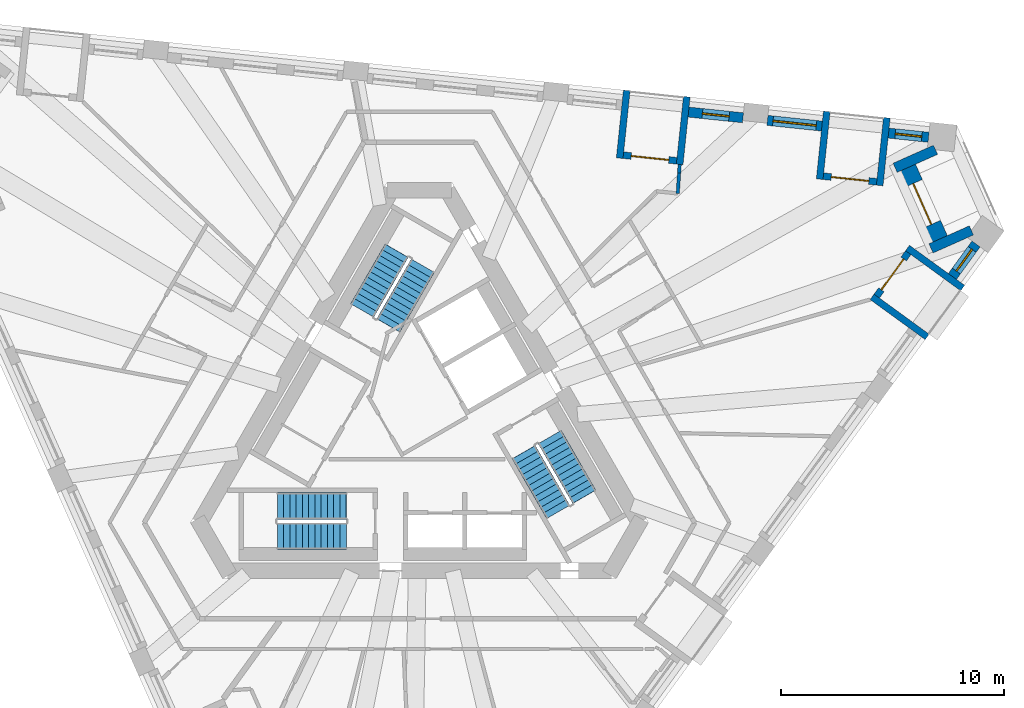
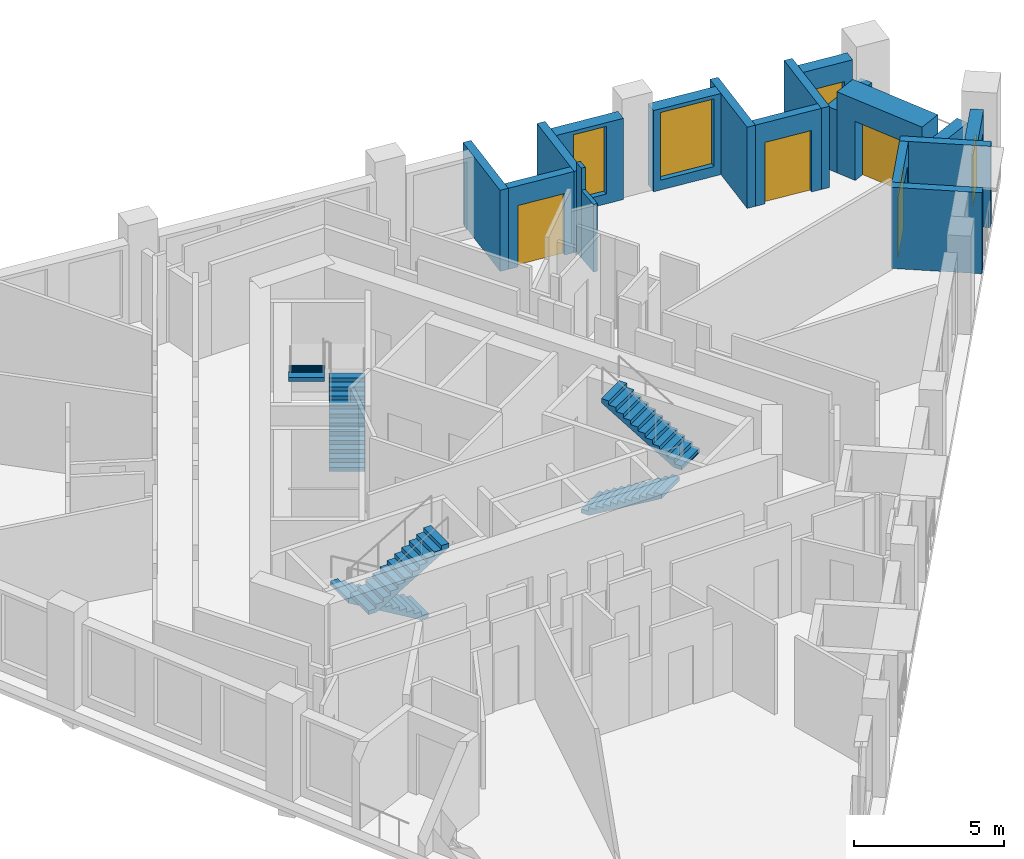
# One storey, part 8 of 11: 18 walls, 6 stair flights, 4 doors, 4 windows, 8 openings, 3 elements without a shape of their own.
"""IFC4 building model written with IfcOpenShell, lengths in metres."""

import ifcopenshell
import ifcopenshell.guid

model = None  # the IFC model being written
_history = None  # IfcOwnerHistory: only IFC2X3 demands one
_inside = {}  # id of a spatial element -> (the spatial element, [elements in it])
_under = {}  # id of a project, library or spatial element -> (it, [spatial elements below it])
_declared = {}  # id of a project -> (the project, [libraries it declares])
_typed = {}  # id of a type object -> (the type object, [elements of that type])
_made_of = {}  # id of a material, layer set ... -> (it, [elements and type objects made of it])


def new_model(schema):
    """Start an empty IFC model of exactly this schema.

    Asked for "IFC4X3", IfcOpenShell would pick the latest addendum, in which some entities
    have other attributes; the version numbers below select the first issue.
    IFC2X3 requires an IfcOwnerHistory on every rooted entity: one is made here for all.
    """
    global model, _history
    if schema == "IFC4X3":
        model = ifcopenshell.file(schema_version=(4, 3, 0, 0))
    else:
        model = ifcopenshell.file(schema=schema)
    _inside.clear()
    _under.clear()
    _declared.clear()
    _typed.clear()
    _made_of.clear()
    _history = None
    if model.schema == "IFC2X3":
        org = make("IfcOrganization", Name="unknown")
        user = make(
            "IfcPersonAndOrganization",
            ThePerson=make("IfcPerson", FamilyName="unknown"),
            TheOrganization=org,
        )
        app = make(
            "IfcApplication",
            ApplicationDeveloper=org,
            Version="unknown",
            ApplicationFullName="unknown",
            ApplicationIdentifier="unknown",
        )
        _history = make(
            "IfcOwnerHistory",
            OwningUser=user,
            OwningApplication=app,
            ChangeAction="ADDED",
            CreationDate=0,
        )
    return model


def make(cls, **values):
    """One entity of the class cls with the attributes given. An attribute that is None is left unset."""
    return model.create_entity(
        cls, **{name: value for name, value in values.items() if value is not None}
    )


def rooted(cls, **values):
    """An entity with a GlobalId (a new one), such as an element, a storey or a relation."""
    return make(cls, GlobalId=ifcopenshell.guid.new(), OwnerHistory=_history, **values)


def si_unit(unit_type, name, prefix=None):
    """IfcSIUnit, for example si_unit("LENGTHUNIT", "METRE", prefix="MILLI")."""
    return make("IfcSIUnit", UnitType=unit_type, Prefix=prefix, Name=name)


def assignment(units):
    """IfcUnitAssignment: the units of a project."""
    return None if units is None else make("IfcUnitAssignment", Units=units)


def point(xyz):
    """IfcCartesianPoint."""
    return None if xyz is None else make("IfcCartesianPoint", Coordinates=xyz)


def direction(xyz):
    """IfcDirection."""
    return None if xyz is None else make("IfcDirection", DirectionRatios=xyz)


def frame(location, z_axis=None, x_axis=None):
    """IfcAxis2Placement3D, a coordinate frame: its origin and axes. An axis left out is left unset."""
    return make(
        "IfcAxis2Placement3D",
        Location=point(location),
        Axis=direction(z_axis),
        RefDirection=direction(x_axis),
    )


def frame_2d(location, x_axis=None):
    """IfcAxis2Placement2D, a coordinate frame in the plane: its origin and x axis."""
    return make(
        "IfcAxis2Placement2D", Location=point(location), RefDirection=direction(x_axis)
    )


def origin():
    """The frame at (0, 0, 0) with its axes left unset."""
    return frame((0.0, 0.0, 0.0))


def place(relative_to, where):
    """IfcLocalPlacement: puts the frame where relative to a parent placement (None: the world)."""
    return make(
        "IfcLocalPlacement", PlacementRelTo=relative_to, RelativePlacement=where
    )


def context(
    kind, dimensions, precision=None, world=None, true_north=None, identifier=None
):
    """IfcGeometricRepresentationContext, for example the 3D "Model" context."""
    return make(
        "IfcGeometricRepresentationContext",
        ContextIdentifier=identifier,
        ContextType=kind,
        CoordinateSpaceDimension=dimensions,
        Precision=precision,
        WorldCoordinateSystem=world,
        TrueNorth=true_north,
    )


def subcontext(parent, identifier, kind, view, scale=None):
    """IfcGeometricRepresentationSubContext, for example "Body" below "Model"."""
    return make(
        "IfcGeometricRepresentationSubContext",
        ContextIdentifier=identifier,
        ContextType=kind,
        ParentContext=parent,
        TargetScale=scale,
        TargetView=view,
    )


def project(units=None, contexts=None):
    """IfcProject with its units and contexts."""
    return rooted(
        "IfcProject",
        Name="project",
        RepresentationContexts=contexts,
        UnitsInContext=assignment(units),
    )


def spatial(cls, under=None, at=None, **own):
    """A site, building, storey or space (cls), placed at a placement, below another one or the project."""
    s = rooted(cls, ObjectPlacement=at, **own)
    if under is not None:
        _under.setdefault(under.id(), (under, []))[1].append(s)
    return s


def polyline(points):
    """IfcPolyline through the points."""
    return make("IfcPolyline", Points=[point(p) for p in points])


def profile(cls, at=None, kind="AREA", **sizes):
    """A parametric profile (cls). Its sizes go by their IFC names, for example OverallWidth=200.0."""
    return make(cls, ProfileType=kind, Position=at, **sizes)


def rectangle(**sizes):
    """IfcRectangleProfileDef."""
    return profile("IfcRectangleProfileDef", **sizes)


def outline(outer, holes=None, kind="AREA"):
    """IfcArbitraryClosedProfileDef: a profile drawn as a closed curve; with holes, ...WithVoids."""
    if holes is None:
        return make("IfcArbitraryClosedProfileDef", ProfileType=kind, OuterCurve=outer)
    return make(
        "IfcArbitraryProfileDefWithVoids",
        ProfileType=kind,
        OuterCurve=outer,
        InnerCurves=holes,
    )


def extrude(swept, where, along, depth):
    """IfcExtrudedAreaSolid: the profile swept, set in the frame where, extruded along a direction by depth."""
    return make(
        "IfcExtrudedAreaSolid",
        SweptArea=swept,
        Position=where,
        ExtrudedDirection=direction(along),
        Depth=depth,
    )


def shape(context_of_items, identifier, shape_type, items):
    """IfcShapeRepresentation: the items that make up one representation, for example the "Body"."""
    return make(
        "IfcShapeRepresentation",
        ContextOfItems=context_of_items,
        RepresentationIdentifier=identifier,
        RepresentationType=shape_type,
        Items=items,
    )


def material(Name=None, Category=None):
    """IfcMaterial."""
    return make("IfcMaterial", Name=Name, Category=Category)


def layer(
    of_material, thickness, ventilated=None, Name=None, Category=None, Priority=None
):
    """IfcMaterialLayer: one layer of a wall or slab, of a material (None: an air gap)."""
    return make(
        "IfcMaterialLayer",
        Material=of_material,
        LayerThickness=thickness,
        IsVentilated=ventilated,
        Name=Name,
        Category=Category,
        Priority=Priority,
    )


def layer_set(layers, Name=None):
    """IfcMaterialLayerSet."""
    return make("IfcMaterialLayerSet", MaterialLayers=layers, LayerSetName=Name)


def made_of(thing, what):
    """Note that an element or type object is made of a material, layer set ...; save() writes the relation."""
    if what is not None:
        _made_of.setdefault(what.id(), (what, []))[1].append(thing)
    return thing


def type_object(cls, material=None, **own):
    """A type object (cls), such as IfcWallType, which elements share."""
    return made_of(rooted(cls, **own), material)


def element(
    cls,
    number,
    at=None,
    inside=None,
    cuts=None,
    type_object=None,
    material=None,
    context=None,
    identifier="Body",
    shape_type=None,
    held_by="IfcProductDefinitionShape",
    body=None,
    shapes=None,
    **own,
):
    """One element of the class cls, such as IfcWall. Its Tag is "e" and its number.

    at: its placement. inside: the storey or other place that contains it. cuts: it is an
    opening in that element (IfcRelVoidsElement). A single representation is given by context,
    identifier, shape_type and body (its items); several are given by shapes. held_by: the class
    of the entity that holds the representations. save() writes the other relations.
    """
    e = rooted(cls, Tag="e%d" % number, ObjectPlacement=at, **own)
    if body is not None:
        shapes = [shape(context, identifier, shape_type, body)]
    if shapes is not None:
        e.Representation = make(held_by, Representations=shapes)
    if inside is not None:
        _inside.setdefault(inside.id(), (inside, []))[1].append(e)
    if cuts is not None:
        rooted(
            "IfcRelVoidsElement", RelatingBuildingElement=cuts, RelatedOpeningElement=e
        )
    if type_object is not None:
        _typed.setdefault(type_object.id(), (type_object, []))[1].append(e)
    return made_of(e, material)


def fill(opening, filler):
    """IfcRelFillsElement: the door or window that sits in an opening."""
    return rooted(
        "IfcRelFillsElement",
        RelatingOpeningElement=opening,
        RelatedBuildingElement=filler,
    )


def aggregate(whole, parts):
    """IfcRelAggregates: a whole, such as a stair, and the parts it consists of."""
    return rooted("IfcRelAggregates", RelatingObject=whole, RelatedObjects=parts)


def save(model, path):
    """Write the relations noted so far, then the file.

    IfcRelAggregates (storeys below a building ...), IfcRelContainedInSpatialStructure (elements
    in a storey), IfcRelDefinesByType, IfcRelAssociatesMaterial and IfcRelDeclares: one each for
    every whole, place, type object, material and project.
    """
    for whole, parts in _under.values():
        aggregate(whole, parts)
    for where, things in _inside.values():
        rooted(
            "IfcRelContainedInSpatialStructure",
            RelatedElements=things,
            RelatingStructure=where,
        )
    for kind, things in _typed.values():
        rooted("IfcRelDefinesByType", RelatedObjects=things, RelatingType=kind)
    for what, things in _made_of.values():
        rooted("IfcRelAssociatesMaterial", RelatedObjects=things, RelatingMaterial=what)
    for by, libraries in _declared.values():
        rooted("IfcRelDeclares", RelatingContext=by, RelatedDefinitions=libraries)
    model.write(path)


model = new_model("IFC4")

# Units and contexts
model_context = context("Model", 3, precision=1e-05, world=origin(), true_north=direction((0.0, 1.0)))
body_context = subcontext(model_context, "Body", "Model", "MODEL_VIEW")
ifc_project = project(units=[si_unit("LENGTHUNIT", "METRE"), si_unit("AREAUNIT", "SQUARE_METRE"), si_unit("VOLUMEUNIT", "CUBIC_METRE"), si_unit("PLANEANGLEUNIT", "RADIAN"), si_unit("MASSUNIT", "GRAM", prefix="KILO")], contexts=[model_context])

# Site, building, storey
site_placement = place(None, origin())
site = spatial("IfcSite", under=ifc_project, at=site_placement, CompositionType="ELEMENT")
building_placement = place(site_placement, origin())
building = spatial("IfcBuilding", under=site, at=building_placement, Name="Tramontana Tower", CompositionType="ELEMENT")
storey_placement = place(building_placement, frame((0.0, 0.0, 253.199951171875)))
storey = spatial("IfcBuildingStorey", under=building, at=storey_placement, Name="L59", CompositionType="ELEMENT", Elevation=253.199951171875)

# Wall, opening, window
ifc_material_1 = material(Name="Precast concrete 60 MPa", Category="concrete")
ifc_layer_1 = layer(ifc_material_1, 0.449951171875)
ifc_layer_set_1 = layer_set([ifc_layer_1], Name="Precast concrete 60 MPa, 450 mm")
wall_type_1 = type_object("IfcWallType", Name="EW1 Stone-faced precast wall 450", PredefinedType="SOLIDWALL", material=ifc_layer_set_1)
wall_1_placement = place(storey_placement, frame((23.868408203125, 6.77978515625, 0.0), z_axis=(0.0, 0.0, 1.0), x_axis=(0.587793056764, 0.809011324037, 0.0)))
wall_1 = element("IfcWall", 1, at=wall_1_placement, inside=storey, type_object=wall_type_1, Name="External wall L59 face 1 bay 5", PredefinedType="SOLIDWALL", context=body_context, shape_type="SweptSolid", body=[
    extrude(rectangle(XDim=1.80224609375, YDim=0.449951171875, at=frame_2d((0.901123046875, 0.0))), origin(), (0.0, 0.0, 1.0), 3.300048828125),
])
opening_1_placement = place(wall_1_placement, frame((0.301025390625, 0.0, 0.39990234375)))
opening_1 = element("IfcOpeningElement", 2, at=opening_1_placement, cuts=wall_1, Name="Opening N3L", PredefinedType="OPENING", context=body_context, shape_type="SweptSolid", body=[
    extrude(rectangle(XDim=1.199951171875, YDim=2.10009765625, at=frame_2d((0.60009765625, 1.050048828125))), frame((0.0, 0.23486328125, 0.0), z_axis=(0.0, -1.0, 0.0), x_axis=(1.0, 0.0, 0.0)), (0.0, 0.0, 1.0), 0.469970703125),
])
ifc_material_2 = material(Name="Aluminum frame, double glazing unit", Category="aluminium")
window_type_1 = type_object("IfcWindowType", Name="N3L Window 1.2 x 2.1", PartitioningType="SINGLE_PANEL", PredefinedType="WINDOW", material=ifc_material_2)
window_1_placement = place(opening_1_placement, origin())
window_1 = element("IfcWindow", 3, at=window_1_placement, inside=storey, type_object=window_type_1, Name="Window N3L L59 face 1 module 15", OverallHeight=2.10009765625, OverallWidth=1.199951171875, PartitioningType="SINGLE_PANEL", PredefinedType="WINDOW", context=body_context, shape_type="SweptSolid", body=[
    extrude(rectangle(XDim=1.199951171875, YDim=2.10009765625, at=frame_2d((0.60009765625, 1.050048828125))), frame((0.0, 0.030029296875, 0.0), z_axis=(0.0, -1.0, 0.0), x_axis=(1.0, 0.0, 0.0)), (0.0, 0.0, 1.0), 0.06005859375),
])
fill(opening_1, window_1)

wall_2_placement = place(storey_placement, frame((22.8017578125, 13.012939453125, 0.0), z_axis=(0.0, 0.0, 1.0), x_axis=(-0.994529922737, 0.104452059724, 0.0)))
wall_2 = element("IfcWall", 4, at=wall_2_placement, inside=storey, type_object=wall_type_1, Name="External wall L59 face 2 bay 1", PredefinedType="SOLIDWALL", context=body_context, shape_type="SweptSolid", body=[
    extrude(rectangle(XDim=1.802001953125, YDim=0.449951171875, at=frame_2d((0.90087890625, 0.0))), origin(), (0.0, 0.0, 1.0), 3.300048828125),
])
opening_2_placement = place(wall_2_placement, frame((0.301025390625, 0.0, 0.39990234375)))
opening_2 = element("IfcOpeningElement", 5, at=opening_2_placement, cuts=wall_2, Name="Opening N3L", PredefinedType="OPENING", context=body_context, shape_type="SweptSolid", body=[
    extrude(rectangle(XDim=1.199951171875, YDim=2.10009765625, at=frame_2d((0.60009765625, 1.050048828125))), frame((0.0, 0.23486328125, 0.0), z_axis=(0.0, -1.0, 0.0), x_axis=(1.0, 0.0, 0.0)), (0.0, 0.0, 1.0), 0.469970703125),
])
window_2_placement = place(opening_2_placement, origin())
window_2 = element("IfcWindow", 6, at=window_2_placement, inside=storey, type_object=window_type_1, Name="Window N3L L59 face 2 module 1", OverallHeight=2.10009765625, OverallWidth=1.199951171875, PartitioningType="SINGLE_PANEL", PredefinedType="WINDOW", context=body_context, shape_type="SweptSolid", body=[
    extrude(rectangle(XDim=1.199951171875, YDim=2.10009765625, at=frame_2d((0.60009765625, 1.050048828125))), frame((0.0, 0.030029296875, 0.0), z_axis=(0.0, -1.0, 0.0), x_axis=(1.0, 0.0, 0.0)), (0.0, 0.0, 1.0), 0.06005859375),
])
fill(opening_2, window_2)

wall_3_placement = place(storey_placement, frame((18.023681640625, 13.51513671875, 0.0), z_axis=(0.0, 0.0, 1.0), x_axis=(-0.994520717537, 0.104539668977, 0.0)))
wall_3 = element("IfcWall", 7, at=wall_3_placement, inside=storey, type_object=wall_type_1, Name="External wall L59 face 2 bay 1", PredefinedType="SOLIDWALL", context=body_context, shape_type="SweptSolid", body=[
    extrude(rectangle(XDim=2.4521484375, YDim=0.449951171875, at=frame_2d((1.22607421875, 0.0))), origin(), (0.0, 0.0, 1.0), 3.300048828125),
])
opening_3_placement = place(wall_3_placement, frame((0.251220703125, 0.0, 0.39990234375)))
opening_3 = element("IfcOpeningElement", 8, at=opening_3_placement, cuts=wall_3, Name="Opening M3", PredefinedType="OPENING", context=body_context, shape_type="SweptSolid", body=[
    extrude(rectangle(XDim=1.949951171875, YDim=2.75, at=frame_2d((0.97509765625, 1.375))), frame((0.0, 0.23486328125, 0.0), z_axis=(0.0, -1.0, 0.0), x_axis=(1.0, 0.0, 0.0)), (0.0, 0.0, 1.0), 0.469970703125),
])
ifc_material_3 = material(Name="Aluminum frame, double glazing unit", Category="aluminium")
window_type_2 = type_object("IfcWindowType", Name="M3 Window 1.95 x 2.75", PartitioningType="SINGLE_PANEL", PredefinedType="WINDOW", material=ifc_material_3)
window_3_placement = place(opening_3_placement, origin())
window_3 = element("IfcWindow", 9, at=window_3_placement, inside=storey, type_object=window_type_2, Name="Window M3 L59 face 2 module 3", OverallHeight=2.75, OverallWidth=1.949951171875, PartitioningType="SINGLE_PANEL", PredefinedType="WINDOW", context=body_context, shape_type="SweptSolid", body=[
    extrude(rectangle(XDim=1.949951171875, YDim=2.75, at=frame_2d((0.97509765625, 1.375))), frame((0.0, 0.030029296875, 0.0), z_axis=(0.0, -1.0, 0.0), x_axis=(1.0, 0.0, 0.0)), (0.0, 0.0, 1.0), 0.06005859375),
])
fill(opening_3, window_3)

wall_4_placement = place(storey_placement, frame((14.490966796875, 13.886474609375, 0.0), z_axis=(0.0, 0.0, 1.0), x_axis=(-0.99453214974, 0.104430853361, 0.0)))
wall_4 = element("IfcWall", 10, at=wall_4_placement, inside=storey, type_object=wall_type_1, Name="External wall L59 face 2 bay 2", PredefinedType="SOLIDWALL", context=body_context, shape_type="SweptSolid", body=[
    extrude(rectangle(XDim=2.452392578125, YDim=0.449951171875, at=frame_2d((1.22607421875, 0.0))), origin(), (0.0, 0.0, 1.0), 3.300048828125),
])
opening_4_placement = place(wall_4_placement, frame((0.626220703125, 0.0, 0.39990234375)))
opening_4 = element("IfcOpeningElement", 11, at=opening_4_placement, cuts=wall_4, Name="Opening N3", PredefinedType="OPENING", context=body_context, shape_type="SweptSolid", body=[
    extrude(rectangle(XDim=1.199951171875, YDim=2.75, at=frame_2d((0.60009765625, 1.375))), frame((0.0, 0.23486328125, 0.0), z_axis=(0.0, -1.0, 0.0), x_axis=(1.0, 0.0, 0.0)), (0.0, 0.0, 1.0), 0.469970703125),
])
ifc_material_4 = material(Name="Aluminum frame, double glazing unit", Category="aluminium")
window_type_3 = type_object("IfcWindowType", Name="N3 Window 1.2 x 2.75", PartitioningType="SINGLE_PANEL", PredefinedType="WINDOW", material=ifc_material_4)
window_4_placement = place(opening_4_placement, origin())
window_4 = element("IfcWindow", 12, at=window_4_placement, inside=storey, type_object=window_type_3, Name="Window N3 L59 face 2 module 4", OverallHeight=2.75, OverallWidth=1.199951171875, PartitioningType="SINGLE_PANEL", PredefinedType="WINDOW", context=body_context, shape_type="SweptSolid", body=[
    extrude(rectangle(XDim=1.199951171875, YDim=2.75, at=frame_2d((0.60009765625, 1.375))), frame((0.0, 0.030029296875, 0.0), z_axis=(0.0, -1.0, 0.0), x_axis=(1.0, 0.0, 0.0)), (0.0, 0.0, 1.0), 0.06005859375),
])
fill(opening_4, window_4)

# Walls
for number, where, z_axis, x_axis, name in (
    (13, (23.112548828125, 12.452392578125, 0.0), (0.0, 0.0, 1.0), (-0.913516289312, -0.406802149899, 0.0), "Corner loggia side wall L59 K62l"),
    (14, (24.71923828125, 8.84375, 0.0), (0.0, 0.0, 1.0), (-0.913562124494, -0.406699206651, 0.0), "Corner loggia side wall L59 K62r"),
):
    element("IfcWall", number, at=place(storey_placement, frame(where, z_axis=z_axis, x_axis=x_axis)), inside=storey, type_object=wall_type_1, Name=name, PredefinedType="SOLIDWALL", context=body_context, shape_type="SweptSolid", body=[
        extrude(rectangle(XDim=1.979248046875, YDim=0.449951171875, at=frame_2d((0.98974609375, 0.0))), origin(), (0.0, 0.0, 1.0), 2.550048828125),
    ])

# Wall, opening, door
ifc_material_5 = material(Name="Precast concrete 60 MPa", Category="concrete")
ifc_layer_2 = layer(ifc_material_5, 0.89990234375)
ifc_layer_set_2 = layer_set([ifc_layer_2], Name="EW2 Stone-faced corner loggia wall 900")
wall_type_2 = type_object("IfcWallType", Name="EW2 Stone-faced corner loggia wall 900", PredefinedType="SOLIDWALL", material=ifc_layer_set_2)
wall_5_placement = place(storey_placement, frame((21.80712890625, 11.624755859375, 0.0), z_axis=(0.0, 0.0, 1.0), x_axis=(0.406727323635, -0.913549606868, 0.0)))
wall_5 = element("IfcWall", 15, at=wall_5_placement, inside=storey, type_object=wall_type_2, Name="Corner loggia wall L59 K62", PredefinedType="SOLIDWALL", context=body_context, shape_type="SweptSolid", body=[
    extrude(rectangle(XDim=3.5, YDim=0.89990234375, at=frame_2d((1.75, 0.0))), origin(), (0.0, 0.0, 1.0), 3.300048828125),
])
opening_5_placement = place(wall_5_placement, frame((0.75, 0.0, 0.0)))
opening_5 = element("IfcOpeningElement", 16, at=opening_5_placement, cuts=wall_5, Name="Opening BD-62C", PredefinedType="OPENING", context=body_context, shape_type="SweptSolid", body=[
    extrude(rectangle(XDim=2.0, YDim=2.39990234375, at=frame_2d((1.0, 1.199951171875))), frame((0.0, 0.4599609375, 0.0), z_axis=(0.0, -1.0, 0.0), x_axis=(1.0, 0.0, 0.0)), (0.0, 0.0, 1.0), 0.919921875),
])
ifc_material_6 = material(Name="Aluminum frame, double glazing unit", Category="aluminium")
door_type_1 = type_object("IfcDoorType", Name="BC1 Sliding door 2 x 2.4", OperationType="SLIDING_TO_LEFT", PredefinedType="DOOR", material=ifc_material_6)
door_1_placement = place(opening_5_placement, origin())
door_1 = element("IfcDoor", 17, at=door_1_placement, inside=storey, type_object=door_type_1, Name="Corner loggia door L59 K62", OperationType="SLIDING_TO_LEFT", OverallHeight=2.39990234375, OverallWidth=2.0, PredefinedType="DOOR", context=body_context, shape_type="SweptSolid", body=[
    extrude(rectangle(XDim=2.0, YDim=2.39990234375, at=frame_2d((1.0, 1.199951171875))), frame((0.0, 0.02490234375, 0.0), z_axis=(0.0, -1.0, 0.0), x_axis=(1.0, 0.0, 0.0)), (0.0, 0.0, 1.0), 0.050048828125),
])
fill(opening_5, door_1)

ifc_material_7 = material(Name="Precast concrete 60 MPa", Category="concrete")
ifc_layer_3 = layer(ifc_material_7, 0.300048828125)
ifc_layer_set_3 = layer_set([ifc_layer_3], Name="LW1 Stone-faced loggia wall 300")
wall_type_3 = type_object("IfcWallType", Name="LW1 Stone-faced loggia wall 300", PredefinedType="SOLIDWALL", material=ifc_layer_set_3)
wall_6_placement = place(storey_placement, frame((20.47998046875, 5.9013671875, 0.0), z_axis=(0.0, 0.0, 1.0), x_axis=(0.587833242688, 0.808982125137, 0.0)))
wall_6 = element("IfcWall", 18, at=wall_6_placement, inside=storey, type_object=wall_type_3, Name="Loggia wall L59 G6S1.13", PredefinedType="SOLIDWALL", context=body_context, shape_type="SweptSolid", body=[
    extrude(rectangle(XDim=2.40234375, YDim=0.300048828125, at=frame_2d((1.201171875, 0.0))), origin(), (0.0, 0.0, 1.0), 3.300048828125),
])
opening_6_placement = place(wall_6_placement, frame((0.35107421875, 0.0, 0.0)))
opening_6 = element("IfcOpeningElement", 19, at=opening_6_placement, cuts=wall_6, Name="Opening BD-6S1-13", PredefinedType="OPENING", context=body_context, shape_type="SweptSolid", body=[
    extrude(rectangle(XDim=1.699951171875, YDim=2.5, at=frame_2d((0.85009765625, 1.25))), frame((0.0, 0.159912109375, 0.0), z_axis=(0.0, -1.0, 0.0), x_axis=(1.0, 0.0, 0.0)), (0.0, 0.0, 1.0), 0.320068359375),
])
ifc_material_8 = material(Name="Aluminum frame, double glazing unit", Category="aluminium")
door_type_2 = type_object("IfcDoorType", Name="BD3 Sliding door 1.7 x 2.5", OperationType="SLIDING_TO_LEFT", PredefinedType="DOOR", material=ifc_material_8)
door_2_placement = place(opening_6_placement, origin())
door_2 = element("IfcDoor", 20, at=door_2_placement, inside=storey, type_object=door_type_2, Name="Loggia door L59 G6S1.13", OperationType="SLIDING_TO_LEFT", OverallHeight=2.5, OverallWidth=1.699951171875, PredefinedType="DOOR", context=body_context, shape_type="SweptSolid", body=[
    extrude(rectangle(XDim=1.699951171875, YDim=2.5, at=frame_2d((0.85009765625, 1.25))), frame((0.0, 0.02490234375, 0.0), z_axis=(0.0, -1.0, 0.0), x_axis=(1.0, 0.0, 0.0)), (0.0, 0.0, 1.0), 0.050048828125),
])
fill(opening_6, door_2)

# Walls
for number, where, z_axis, x_axis, name in (
    (21, (22.738037109375, 4.075439453125, 0.0), (0.0, 0.0, 1.0), (-0.80902328748, 0.587776590479, 0.0), "Loggia return L59 G6S1.13a"),
    (22, (24.326416015625, 6.261474609375, 0.0), (0.0, 0.0, 1.0), (-0.808985223782, 0.587828978278, 0.0), "Loggia return L59 G6S1.13b"),
):
    element("IfcWall", number, at=place(storey_placement, frame(where, z_axis=z_axis, x_axis=x_axis)), inside=storey, type_object=wall_type_3, Name=name, PredefinedType="SOLIDWALL", context=body_context, shape_type="SweptSolid", body=[
        extrude(rectangle(XDim=3.050048828125, YDim=0.300048828125, at=frame_2d((1.52490234375, 0.0))), origin(), (0.0, 0.0, 1.0), 3.300048828125),
    ])

# Wall, opening, door
wall_7_placement = place(storey_placement, frame((20.478515625, 11.019775390625, 0.0), z_axis=(0.0, 0.0, 1.0), x_axis=(-0.994517140727, 0.104573690763, 0.0)))
wall_7 = element("IfcWall", 23, at=wall_7_placement, inside=storey, type_object=wall_type_3, Name="Loggia wall L59 G6S2.1", PredefinedType="SOLIDWALL", context=body_context, shape_type="SweptSolid", body=[
    extrude(rectangle(XDim=2.40234375, YDim=0.300048828125, at=frame_2d((1.201171875, 0.0))), origin(), (0.0, 0.0, 1.0), 3.300048828125),
])
opening_7_placement = place(wall_7_placement, frame((0.35107421875, 0.0, 0.0)))
opening_7 = element("IfcOpeningElement", 24, at=opening_7_placement, cuts=wall_7, Name="Opening BD-6S2-01", PredefinedType="OPENING", context=body_context, shape_type="SweptSolid", body=[
    extrude(rectangle(XDim=1.699951171875, YDim=2.5, at=frame_2d((0.85009765625, 1.25))), frame((0.0, 0.159912109375, 0.0), z_axis=(0.0, -1.0, 0.0), x_axis=(1.0, 0.0, 0.0)), (0.0, 0.0, 1.0), 0.320068359375),
])
door_3_placement = place(opening_7_placement, origin())
door_3 = element("IfcDoor", 25, at=door_3_placement, inside=storey, type_object=door_type_2, Name="Loggia door L59 G6S2.1", OperationType="SLIDING_TO_LEFT", OverallHeight=2.5, OverallWidth=1.699951171875, PredefinedType="DOOR", context=body_context, shape_type="SweptSolid", body=[
    extrude(rectangle(XDim=1.699951171875, YDim=2.5, at=frame_2d((0.85009765625, 1.25))), frame((0.0, 0.02490234375, 0.0), z_axis=(0.0, -1.0, 0.0), x_axis=(1.0, 0.0, 0.0)), (0.0, 0.0, 1.0), 0.050048828125),
])
fill(opening_7, door_3)

# Walls
for number, where, z_axis, x_axis, name in (
    (26, (20.930908203125, 13.88818359375, 0.0), (0.0, 0.0, 1.0), (-0.104543108891, -0.994520355942, 0.0), "Loggia return L59 G6S2.1a"),
    (27, (18.243408203125, 14.170654296875, 0.0), (0.0, 0.0, 1.0), (-0.104543108891, -0.994520355942, 0.0), "Loggia return L59 G6S2.1b"),
):
    element("IfcWall", number, at=place(storey_placement, frame(where, z_axis=z_axis, x_axis=x_axis)), inside=storey, type_object=wall_type_3, Name=name, PredefinedType="SOLIDWALL", context=body_context, shape_type="SweptSolid", body=[
        extrude(rectangle(XDim=3.0498046875, YDim=0.300048828125, at=frame_2d((1.52490234375, 0.0))), origin(), (0.0, 0.0, 1.0), 3.300048828125),
    ])

# Wall, opening, door
wall_8_placement = place(storey_placement, frame((11.521240234375, 11.961181640625, 0.0), z_axis=(0.0, 0.0, 1.0), x_axis=(-0.994517140727, 0.104573690763, 0.0)))
wall_8 = element("IfcWall", 28, at=wall_8_placement, inside=storey, type_object=wall_type_3, Name="Loggia wall L59 G6S2.4", PredefinedType="SOLIDWALL", context=body_context, shape_type="SweptSolid", body=[
    extrude(rectangle(XDim=2.40234375, YDim=0.300048828125, at=frame_2d((1.201171875, 0.0))), origin(), (0.0, 0.0, 1.0), 3.300048828125),
])
opening_8_placement = place(wall_8_placement, frame((0.35107421875, 0.0, 0.0)))
opening_8 = element("IfcOpeningElement", 29, at=opening_8_placement, cuts=wall_8, Name="Opening BD-6S2-04", PredefinedType="OPENING", context=body_context, shape_type="SweptSolid", body=[
    extrude(rectangle(XDim=1.699951171875, YDim=2.5, at=frame_2d((0.85009765625, 1.25))), frame((0.0, 0.159912109375, 0.0), z_axis=(0.0, -1.0, 0.0), x_axis=(1.0, 0.0, 0.0)), (0.0, 0.0, 1.0), 0.320068359375),
])
door_4_placement = place(opening_8_placement, origin())
door_4 = element("IfcDoor", 30, at=door_4_placement, inside=storey, type_object=door_type_2, Name="Loggia door L59 G6S2.4", OperationType="SLIDING_TO_LEFT", OverallHeight=2.5, OverallWidth=1.699951171875, PredefinedType="DOOR", context=body_context, shape_type="SweptSolid", body=[
    extrude(rectangle(XDim=1.699951171875, YDim=2.5, at=frame_2d((0.85009765625, 1.25))), frame((0.0, 0.02490234375, 0.0), z_axis=(0.0, -1.0, 0.0), x_axis=(1.0, 0.0, 0.0)), (0.0, 0.0, 1.0), 0.050048828125),
])
fill(opening_8, door_4)

# Walls
for number, where, z_axis, x_axis, name in (
    (31, (11.973388671875, 14.82958984375, 0.0), (0.0, 0.0, 1.0), (-0.104463934444, -0.994528675504, 0.0), "Loggia return L59 G6S2.4a"),
    (32, (9.2861328125, 15.112060546875, 0.0), (0.0, 0.0, 1.0), (-0.104543108891, -0.994520355942, 0.0), "Loggia return L59 G6S2.4b"),
):
    element("IfcWall", number, at=place(storey_placement, frame(where, z_axis=z_axis, x_axis=x_axis)), inside=storey, type_object=wall_type_3, Name=name, PredefinedType="SOLIDWALL", context=body_context, shape_type="SweptSolid", body=[
        extrude(rectangle(XDim=3.0498046875, YDim=0.300048828125, at=frame_2d((1.52490234375, 0.0))), origin(), (0.0, 0.0, 1.0), 3.300048828125),
    ])
ifc_material_9 = material(Name="Gypsum board partition")
ifc_layer_4 = layer(ifc_material_9, 0.14990234375)
ifc_layer_set_4 = layer_set([ifc_layer_4], Name="PARTITION 150")
wall_type_4 = type_object("IfcWallType", Name="PARTITION 150", PredefinedType="PARTITIONING", material=ifc_layer_set_4)
wall_9_placement = place(storey_placement, frame((11.56884765625, 10.5, 0.0), z_axis=(0.0, 0.0, 1.0), x_axis=(0.065954162618, 0.997822653798, 0.0)))
element("IfcWall", 33, at=wall_9_placement, inside=storey, type_object=wall_type_4, Name="Wall v61-pw36-0", PredefinedType="PARTITIONING", context=body_context, shape_type="SweptSolid", body=[
    extrude(rectangle(XDim=0.91796875, YDim=0.14990234375, at=frame_2d((0.458984375, 0.0))), origin(), (0.0, 0.0, 1.0), 2.75),
])
wall_10_placement = place(storey_placement, frame((11.62939453125, 11.416015625, 0.0), z_axis=(0.0, 0.0, 1.0), x_axis=(0.066604022224, 0.997779486772, 0.0)))
element("IfcWall", 34, at=wall_10_placement, inside=storey, type_object=wall_type_4, Name="Wall v61-pw36-1", PredefinedType="PARTITIONING", context=body_context, shape_type="SweptSolid", body=[
    extrude(rectangle(XDim=0.381103515625, YDim=0.14990234375, at=frame_2d((0.1904296875, 0.0))), origin(), (0.0, 0.0, 1.0), 3.650146484375),
])

# Stair, stair flights
ifc_material_10 = material(Name="Concrete 40 MPa", Category="concrete")
stair_type = type_object("IfcStairType", Name="EXIT STAIR 24 RISERS", PredefinedType="HALF_TURN_STAIR", material=ifc_material_10)
stair_1_placement = place(storey_placement, origin())
stair_1 = element("IfcStair", 35, at=stair_1_placement, inside=storey, type_object=stair_type, Name="L59 Exit stair ST1", PredefinedType="HALF_TURN_STAIR")
ifc_material_11 = material(Name="Concrete 40 MPa", Category="concrete")
ifc_layer_5 = layer(ifc_material_11, 0.14990234375)
ifc_layer_set_5 = layer_set([ifc_layer_5], Name="EXIT STAIR FLIGHT")
stair_flight_type = type_object("IfcStairFlightType", Name="EXIT STAIR FLIGHT", PredefinedType="STRAIGHT", material=ifc_layer_set_5)
stair_flight_1_placement = place(storey_placement, frame((-1.39111328125, 4.590576171875, 0.0), z_axis=(0.0, 0.0, 1.0), x_axis=(0.5, 0.866025403784, 0.0)))
stair_flight_1 = element("IfcStairFlight", 36, at=stair_flight_1_placement, type_object=stair_flight_type, Name="ST1 flight 1", NumberOfRisers=12, NumberOfTreads=11, PredefinedType="STRAIGHT", RiserHeight=0.166666667, TreadLength=0.28, context=body_context, shape_type="SweptSolid", body=[
    extrude(outline(polyline([(-0.006103515625, 0.0), (-0.006103515625, 0.0400390625), (0.0, 0.0400390625), (0.0, 0.166748046875), (0.280029296875, 0.166748046875), (0.280029296875, 0.333251953125), (0.56005859375, 0.333251953125), (0.56005859375, 0.5), (0.840087890625, 0.5), (0.840087890625, 0.666748046875), (1.1201171875, 0.666748046875), (1.1201171875, 0.833251953125), (1.39990234375, 0.833251953125), (1.39990234375, 1.0), (1.679931640625, 1.0), (1.679931640625, 1.166748046875), (1.9599609375, 1.166748046875), (1.9599609375, 1.333251953125), (2.239990234375, 1.333251953125), (2.239990234375, 1.5), (2.52001953125, 1.5), (2.52001953125, 1.666748046875), (2.800048828125, 1.666748046875), (2.800048828125, 1.833251953125), (3.080078125, 1.833251953125), (3.0859375, 1.833251953125), (3.0859375, 1.658935546875), (0.299072265625, 0.0), (-0.006103515625, 0.0)])), frame((0.0, 0.60009765625, 0.0), z_axis=(0.0, -1.0, 0.0), x_axis=(1.0, 0.0, 0.0)), (0.0, 0.0, 1.0), 1.199951171875),
])
stair_flight_2_placement = place(storey_placement, frame((-1.020263671875, 7.932861328125, 2.0), z_axis=(0.0, 0.0, 1.0), x_axis=(-0.5, -0.866025403784, 0.0)))
stair_flight_2 = element("IfcStairFlight", 37, at=stair_flight_2_placement, type_object=stair_flight_type, Name="ST1 flight 2", NumberOfRisers=12, NumberOfTreads=11, PredefinedType="STRAIGHT", RiserHeight=0.166666667, TreadLength=0.28, context=body_context, shape_type="SweptSolid", body=[
    extrude(outline(polyline([(-0.006103515625, 0.0), (-0.006103515625, 0.0400390625), (0.0, 0.0400390625), (0.0, 0.166748046875), (0.280029296875, 0.166748046875), (0.280029296875, 0.333251953125), (0.56005859375, 0.333251953125), (0.56005859375, 0.5), (0.840087890625, 0.5), (0.840087890625, 0.666748046875), (1.1201171875, 0.666748046875), (1.1201171875, 0.833251953125), (1.39990234375, 0.833251953125), (1.39990234375, 1.0), (1.679931640625, 1.0), (1.679931640625, 1.166748046875), (1.9599609375, 1.166748046875), (1.9599609375, 1.333251953125), (2.239990234375, 1.333251953125), (2.239990234375, 1.5), (2.52001953125, 1.5), (2.52001953125, 1.666748046875), (2.800048828125, 1.666748046875), (2.800048828125, 1.833251953125), (3.080078125, 1.833251953125), (3.0859375, 1.833251953125), (3.0859375, 1.658935546875), (0.299072265625, 0.0), (-0.006103515625, 0.0)])), frame((0.0, 0.60009765625, 0.0), z_axis=(0.0, -1.0, 0.0), x_axis=(1.0, 0.0, 0.0)), (0.0, 0.0, 1.0), 1.199951171875),
])
aggregate(stair_1, [stair_flight_1, stair_flight_2])

stair_2_placement = place(storey_placement, origin())
stair_2 = element("IfcStair", 38, at=stair_2_placement, inside=storey, type_object=stair_type, Name="L59 Exit stair ST2", PredefinedType="HALF_TURN_STAIR")
stair_flight_3_placement = place(storey_placement, frame((-3.280029296875, -3.5, 0.0), z_axis=(0.0, 0.0, 1.0), x_axis=(-1.0, 0.0, 0.0)))
stair_flight_3 = element("IfcStairFlight", 39, at=stair_flight_3_placement, type_object=stair_flight_type, Name="ST2 flight 1", NumberOfRisers=12, NumberOfTreads=11, PredefinedType="STRAIGHT", RiserHeight=0.166666667, TreadLength=0.28, context=body_context, shape_type="SweptSolid", body=[
    extrude(outline(polyline([(-0.006103515625, 0.0), (-0.006103515625, 0.0400390625), (0.0, 0.0400390625), (0.0, 0.166748046875), (0.280029296875, 0.166748046875), (0.280029296875, 0.333251953125), (0.56005859375, 0.333251953125), (0.56005859375, 0.5), (0.840087890625, 0.5), (0.840087890625, 0.666748046875), (1.1201171875, 0.666748046875), (1.1201171875, 0.833251953125), (1.39990234375, 0.833251953125), (1.39990234375, 1.0), (1.679931640625, 1.0), (1.679931640625, 1.166748046875), (1.9599609375, 1.166748046875), (1.9599609375, 1.333251953125), (2.239990234375, 1.333251953125), (2.239990234375, 1.5), (2.52001953125, 1.5), (2.52001953125, 1.666748046875), (2.800048828125, 1.666748046875), (2.800048828125, 1.833251953125), (3.080078125, 1.833251953125), (3.0859375, 1.833251953125), (3.0859375, 1.658935546875), (0.299072265625, 0.0), (-0.006103515625, 0.0)])), frame((0.0, 0.60009765625, 0.0), z_axis=(0.0, -1.0, 0.0), x_axis=(1.0, 0.0, 0.0)), (0.0, 0.0, 1.0), 1.199951171875),
])
stair_flight_4_placement = place(storey_placement, frame((-6.360107421875, -4.85009765625, 2.0), z_axis=(0.0, 0.0, 1.0), x_axis=(1.0, 0.0, 0.0)))
stair_flight_4 = element("IfcStairFlight", 40, at=stair_flight_4_placement, type_object=stair_flight_type, Name="ST2 flight 2", NumberOfRisers=12, NumberOfTreads=11, PredefinedType="STRAIGHT", RiserHeight=0.166666667, TreadLength=0.28, context=body_context, shape_type="SweptSolid", body=[
    extrude(outline(polyline([(-0.006103515625, 0.0), (-0.006103515625, 0.0400390625), (0.0, 0.0400390625), (0.0, 0.166748046875), (0.280029296875, 0.166748046875), (0.280029296875, 0.333251953125), (0.56005859375, 0.333251953125), (0.56005859375, 0.5), (0.840087890625, 0.5), (0.840087890625, 0.666748046875), (1.1201171875, 0.666748046875), (1.1201171875, 0.833251953125), (1.39990234375, 0.833251953125), (1.39990234375, 1.0), (1.679931640625, 1.0), (1.679931640625, 1.166748046875), (1.9599609375, 1.166748046875), (1.9599609375, 1.333251953125), (2.239990234375, 1.333251953125), (2.239990234375, 1.5), (2.52001953125, 1.5), (2.52001953125, 1.666748046875), (2.800048828125, 1.666748046875), (2.800048828125, 1.833251953125), (3.080078125, 1.833251953125), (3.0859375, 1.833251953125), (3.0859375, 1.658935546875), (0.299072265625, 0.0), (-0.006103515625, 0.0)])), frame((0.0, 0.60009765625, 0.0), z_axis=(0.0, -1.0, 0.0), x_axis=(1.0, 0.0, 0.0)), (0.0, 0.0, 1.0), 1.199951171875),
])
aggregate(stair_2, [stair_flight_3, stair_flight_4])

stair_3_placement = place(storey_placement, origin())
stair_3 = element("IfcStair", 41, at=stair_3_placement, inside=storey, type_object=stair_type, Name="L59 Exit stair ST3", PredefinedType="HALF_TURN_STAIR")
stair_flight_5_placement = place(storey_placement, frame((4.671142578125, -1.090576171875, 0.0), z_axis=(0.0, 0.0, 1.0), x_axis=(0.5, -0.866025403784, 0.0)))
stair_flight_5 = element("IfcStairFlight", 42, at=stair_flight_5_placement, type_object=stair_flight_type, Name="ST3 flight 1", NumberOfRisers=12, NumberOfTreads=11, PredefinedType="STRAIGHT", RiserHeight=0.166666667, TreadLength=0.28, context=body_context, shape_type="SweptSolid", body=[
    extrude(outline(polyline([(-0.006103515625, 0.0), (-0.006103515625, 0.0400390625), (0.0, 0.0400390625), (0.0, 0.166748046875), (0.280029296875, 0.166748046875), (0.280029296875, 0.333251953125), (0.56005859375, 0.333251953125), (0.56005859375, 0.5), (0.840087890625, 0.5), (0.840087890625, 0.666748046875), (1.1201171875, 0.666748046875), (1.1201171875, 0.833251953125), (1.39990234375, 0.833251953125), (1.39990234375, 1.0), (1.679931640625, 1.0), (1.679931640625, 1.166748046875), (1.9599609375, 1.166748046875), (1.9599609375, 1.333251953125), (2.239990234375, 1.333251953125), (2.239990234375, 1.5), (2.52001953125, 1.5), (2.52001953125, 1.666748046875), (2.800048828125, 1.666748046875), (2.800048828125, 1.833251953125), (3.080078125, 1.833251953125), (3.0859375, 1.833251953125), (3.0859375, 1.658935546875), (0.299072265625, 0.0), (-0.006103515625, 0.0)])), frame((0.0, 0.60009765625, 0.0), z_axis=(0.0, -1.0, 0.0), x_axis=(1.0, 0.0, 0.0)), (0.0, 0.0, 1.0), 1.199951171875),
])
stair_flight_6_placement = place(storey_placement, frame((7.380126953125, -3.0830078125, 2.0), z_axis=(0.0, 0.0, 1.0), x_axis=(-0.5, 0.866025403784, 0.0)))
stair_flight_6 = element("IfcStairFlight", 43, at=stair_flight_6_placement, type_object=stair_flight_type, Name="ST3 flight 2", NumberOfRisers=12, NumberOfTreads=11, PredefinedType="STRAIGHT", RiserHeight=0.166666667, TreadLength=0.28, context=body_context, shape_type="SweptSolid", body=[
    extrude(outline(polyline([(-0.006103515625, 0.0), (-0.006103515625, 0.0400390625), (0.0, 0.0400390625), (0.0, 0.166748046875), (0.280029296875, 0.166748046875), (0.280029296875, 0.333251953125), (0.56005859375, 0.333251953125), (0.56005859375, 0.5), (0.840087890625, 0.5), (0.840087890625, 0.666748046875), (1.1201171875, 0.666748046875), (1.1201171875, 0.833251953125), (1.39990234375, 0.833251953125), (1.39990234375, 1.0), (1.679931640625, 1.0), (1.679931640625, 1.166748046875), (1.9599609375, 1.166748046875), (1.9599609375, 1.333251953125), (2.239990234375, 1.333251953125), (2.239990234375, 1.5), (2.52001953125, 1.5), (2.52001953125, 1.666748046875), (2.800048828125, 1.666748046875), (2.800048828125, 1.833251953125), (3.080078125, 1.833251953125), (3.0859375, 1.833251953125), (3.0859375, 1.658935546875), (0.299072265625, 0.0), (-0.006103515625, 0.0)])), frame((0.0, 0.60009765625, 0.0), z_axis=(0.0, -1.0, 0.0), x_axis=(1.0, 0.0, 0.0)), (0.0, 0.0, 1.0), 1.199951171875),
])
aggregate(stair_3, [stair_flight_5, stair_flight_6])

save(model, "model.ifc")
